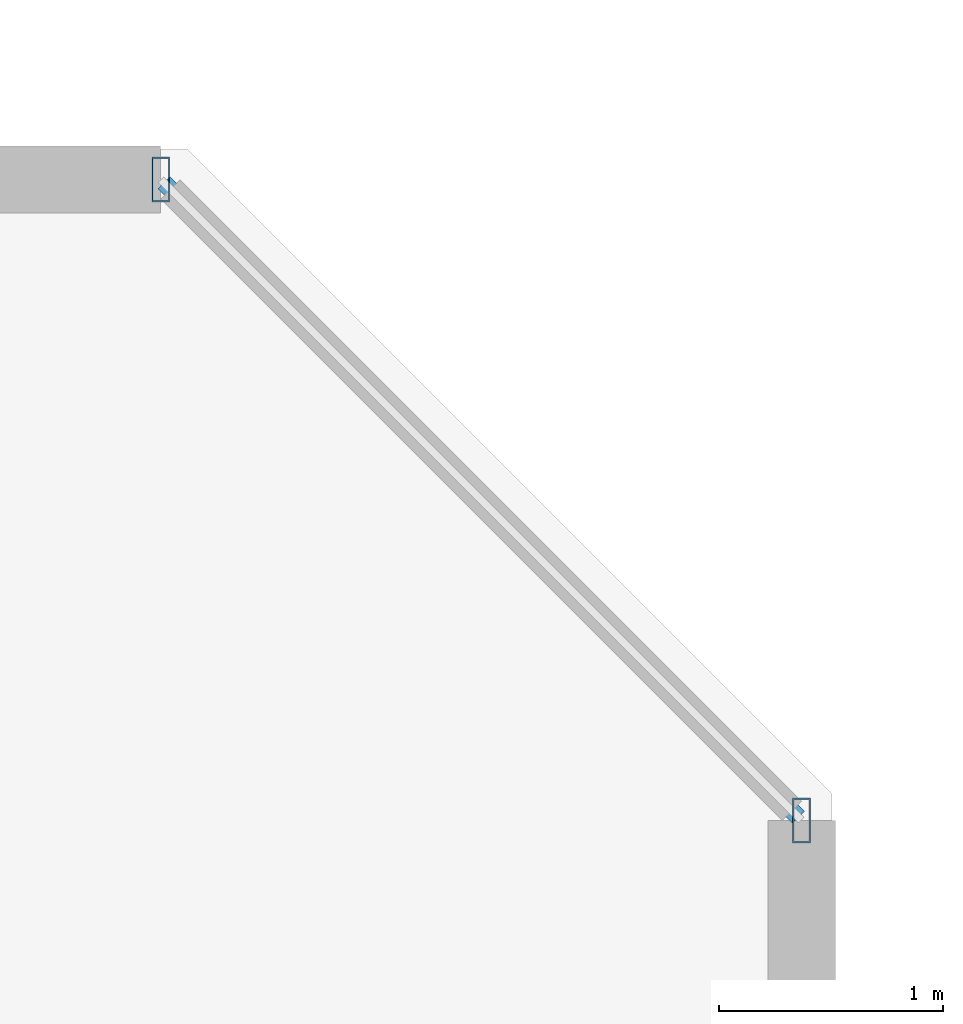
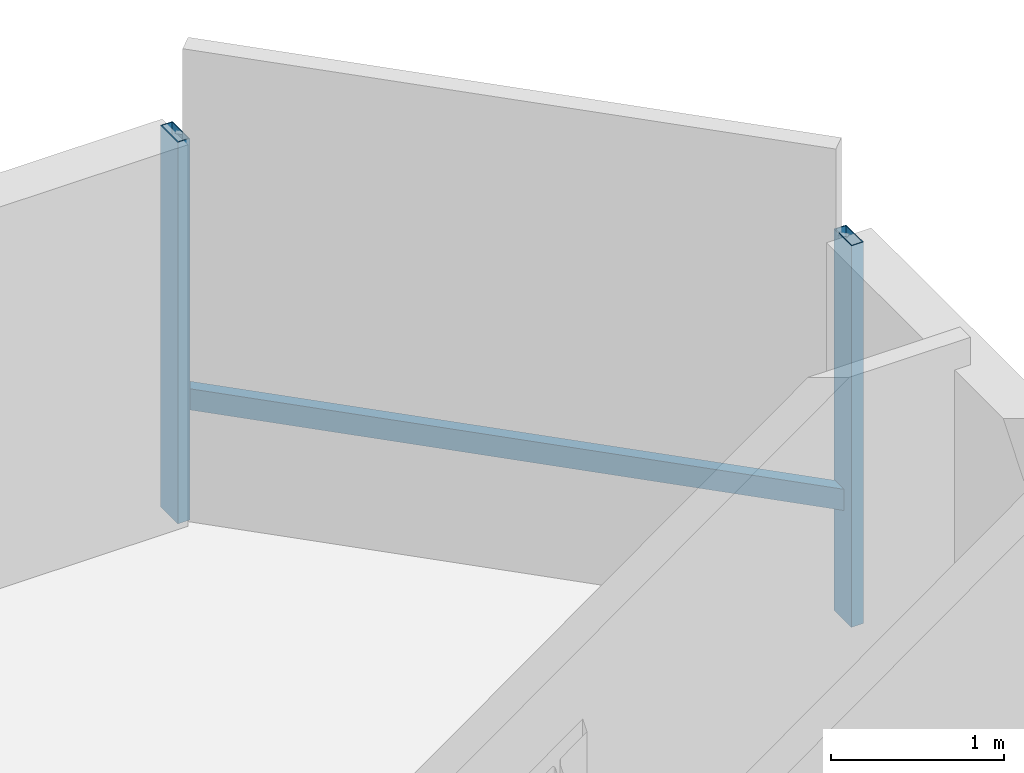
# One storey, part 10 of 33: 3 members, 1 element without a shape of its own.
"""IFC4 building model written with IfcOpenShell, lengths in metres."""

import ifcopenshell
import ifcopenshell.guid

model = None  # the IFC model being written
_history = None  # IfcOwnerHistory: only IFC2X3 demands one
_inside = {}  # id of a spatial element -> (the spatial element, [elements in it])
_under = {}  # id of a project, library or spatial element -> (it, [spatial elements below it])
_declared = {}  # id of a project -> (the project, [libraries it declares])
_typed = {}  # id of a type object -> (the type object, [elements of that type])
_made_of = {}  # id of a material, layer set ... -> (it, [elements and type objects made of it])


def new_model(schema):
    """Start an empty IFC model of exactly this schema.

    Asked for "IFC4X3", IfcOpenShell would pick the latest addendum, in which some entities
    have other attributes; the version numbers below select the first issue.
    IFC2X3 requires an IfcOwnerHistory on every rooted entity: one is made here for all.
    """
    global model, _history
    if schema == "IFC4X3":
        model = ifcopenshell.file(schema_version=(4, 3, 0, 0))
    else:
        model = ifcopenshell.file(schema=schema)
    _inside.clear()
    _under.clear()
    _declared.clear()
    _typed.clear()
    _made_of.clear()
    _history = None
    if model.schema == "IFC2X3":
        org = make("IfcOrganization", Name="unknown")
        user = make(
            "IfcPersonAndOrganization",
            ThePerson=make("IfcPerson", FamilyName="unknown"),
            TheOrganization=org,
        )
        app = make(
            "IfcApplication",
            ApplicationDeveloper=org,
            Version="unknown",
            ApplicationFullName="unknown",
            ApplicationIdentifier="unknown",
        )
        _history = make(
            "IfcOwnerHistory",
            OwningUser=user,
            OwningApplication=app,
            ChangeAction="ADDED",
            CreationDate=0,
        )
    return model


def make(cls, **values):
    """One entity of the class cls with the attributes given. An attribute that is None is left unset."""
    return model.create_entity(
        cls, **{name: value for name, value in values.items() if value is not None}
    )


def rooted(cls, **values):
    """An entity with a GlobalId (a new one), such as an element, a storey or a relation."""
    return make(cls, GlobalId=ifcopenshell.guid.new(), OwnerHistory=_history, **values)


def si_unit(unit_type, name, prefix=None):
    """IfcSIUnit, for example si_unit("LENGTHUNIT", "METRE", prefix="MILLI")."""
    return make("IfcSIUnit", UnitType=unit_type, Prefix=prefix, Name=name)


def assignment(units):
    """IfcUnitAssignment: the units of a project."""
    return None if units is None else make("IfcUnitAssignment", Units=units)


def point(xyz):
    """IfcCartesianPoint."""
    return None if xyz is None else make("IfcCartesianPoint", Coordinates=xyz)


def direction(xyz):
    """IfcDirection."""
    return None if xyz is None else make("IfcDirection", DirectionRatios=xyz)


def frame(location, z_axis=None, x_axis=None):
    """IfcAxis2Placement3D, a coordinate frame: its origin and axes. An axis left out is left unset."""
    return make(
        "IfcAxis2Placement3D",
        Location=point(location),
        Axis=direction(z_axis),
        RefDirection=direction(x_axis),
    )


def frame_2d(location, x_axis=None):
    """IfcAxis2Placement2D, a coordinate frame in the plane: its origin and x axis."""
    return make(
        "IfcAxis2Placement2D", Location=point(location), RefDirection=direction(x_axis)
    )


def origin():
    """The frame at (0, 0, 0) with its axes left unset."""
    return frame((0.0, 0.0, 0.0))


def origin_2d():
    """The frame at (0, 0) in the plane with its x axis left unset."""
    return frame_2d((0.0, 0.0))


def place(relative_to, where):
    """IfcLocalPlacement: puts the frame where relative to a parent placement (None: the world)."""
    return make(
        "IfcLocalPlacement", PlacementRelTo=relative_to, RelativePlacement=where
    )


def context(
    kind, dimensions, precision=None, world=None, true_north=None, identifier=None
):
    """IfcGeometricRepresentationContext, for example the 3D "Model" context."""
    return make(
        "IfcGeometricRepresentationContext",
        ContextIdentifier=identifier,
        ContextType=kind,
        CoordinateSpaceDimension=dimensions,
        Precision=precision,
        WorldCoordinateSystem=world,
        TrueNorth=true_north,
    )


def subcontext(parent, identifier, kind, view, scale=None):
    """IfcGeometricRepresentationSubContext, for example "Body" below "Model"."""
    return make(
        "IfcGeometricRepresentationSubContext",
        ContextIdentifier=identifier,
        ContextType=kind,
        ParentContext=parent,
        TargetScale=scale,
        TargetView=view,
    )


def project(units=None, contexts=None):
    """IfcProject with its units and contexts."""
    return rooted(
        "IfcProject",
        Name="project",
        RepresentationContexts=contexts,
        UnitsInContext=assignment(units),
    )


def spatial(cls, under=None, at=None, **own):
    """A site, building, storey or space (cls), placed at a placement, below another one or the project."""
    s = rooted(cls, ObjectPlacement=at, **own)
    if under is not None:
        _under.setdefault(under.id(), (under, []))[1].append(s)
    return s


def profile(cls, at=None, kind="AREA", **sizes):
    """A parametric profile (cls). Its sizes go by their IFC names, for example OverallWidth=200.0."""
    return make(cls, ProfileType=kind, Position=at, **sizes)


def hollow_rectangle(**sizes):
    """IfcRectangleHollowProfileDef."""
    return profile("IfcRectangleHollowProfileDef", **sizes)


def extrude(swept, where, along, depth):
    """IfcExtrudedAreaSolid: the profile swept, set in the frame where, extruded along a direction by depth."""
    return make(
        "IfcExtrudedAreaSolid",
        SweptArea=swept,
        Position=where,
        ExtrudedDirection=direction(along),
        Depth=depth,
    )


def shape(context_of_items, identifier, shape_type, items):
    """IfcShapeRepresentation: the items that make up one representation, for example the "Body"."""
    return make(
        "IfcShapeRepresentation",
        ContextOfItems=context_of_items,
        RepresentationIdentifier=identifier,
        RepresentationType=shape_type,
        Items=items,
    )


def material(Name=None, Category=None):
    """IfcMaterial."""
    return make("IfcMaterial", Name=Name, Category=Category)


def material_profile(
    of_material, cross_section, Name=None, Category=None, Priority=None
):
    """IfcMaterialProfile: a cross section and its material."""
    return make(
        "IfcMaterialProfile",
        Name=Name,
        Material=of_material,
        Profile=cross_section,
        Priority=Priority,
        Category=Category,
    )


def profile_set(profiles, Name=None, composite=None):
    """IfcMaterialProfileSet."""
    return make(
        "IfcMaterialProfileSet",
        Name=Name,
        MaterialProfiles=profiles,
        CompositeProfile=composite,
    )


def made_of(thing, what):
    """Note that an element or type object is made of a material, layer set ...; save() writes the relation."""
    if what is not None:
        _made_of.setdefault(what.id(), (what, []))[1].append(thing)
    return thing


def type_object(cls, material=None, **own):
    """A type object (cls), such as IfcWallType, which elements share."""
    return made_of(rooted(cls, **own), material)


def element(
    cls,
    number,
    at=None,
    inside=None,
    cuts=None,
    type_object=None,
    material=None,
    context=None,
    identifier="Body",
    shape_type=None,
    held_by="IfcProductDefinitionShape",
    body=None,
    shapes=None,
    **own,
):
    """One element of the class cls, such as IfcWall. Its Tag is "e" and its number.

    at: its placement. inside: the storey or other place that contains it. cuts: it is an
    opening in that element (IfcRelVoidsElement). A single representation is given by context,
    identifier, shape_type and body (its items); several are given by shapes. held_by: the class
    of the entity that holds the representations. save() writes the other relations.
    """
    e = rooted(cls, Tag="e%d" % number, ObjectPlacement=at, **own)
    if body is not None:
        shapes = [shape(context, identifier, shape_type, body)]
    if shapes is not None:
        e.Representation = make(held_by, Representations=shapes)
    if inside is not None:
        _inside.setdefault(inside.id(), (inside, []))[1].append(e)
    if cuts is not None:
        rooted(
            "IfcRelVoidsElement", RelatingBuildingElement=cuts, RelatedOpeningElement=e
        )
    if type_object is not None:
        _typed.setdefault(type_object.id(), (type_object, []))[1].append(e)
    return made_of(e, material)


def aggregate(whole, parts):
    """IfcRelAggregates: a whole, such as a stair, and the parts it consists of."""
    return rooted("IfcRelAggregates", RelatingObject=whole, RelatedObjects=parts)


def save(model, path):
    """Write the relations noted so far, then the file.

    IfcRelAggregates (storeys below a building ...), IfcRelContainedInSpatialStructure (elements
    in a storey), IfcRelDefinesByType, IfcRelAssociatesMaterial and IfcRelDeclares: one each for
    every whole, place, type object, material and project.
    """
    for whole, parts in _under.values():
        aggregate(whole, parts)
    for where, things in _inside.values():
        rooted(
            "IfcRelContainedInSpatialStructure",
            RelatedElements=things,
            RelatingStructure=where,
        )
    for kind, things in _typed.values():
        rooted("IfcRelDefinesByType", RelatedObjects=things, RelatingType=kind)
    for what, things in _made_of.values():
        rooted("IfcRelAssociatesMaterial", RelatedObjects=things, RelatingMaterial=what)
    for by, libraries in _declared.values():
        rooted("IfcRelDeclares", RelatingContext=by, RelatedDefinitions=libraries)
    model.write(path)


model = new_model("IFC4")

# Units and contexts
model_context = context("Model", 3, precision=1e-05, world=origin(), true_north=direction((0.0, 1.0)))
body_context = subcontext(model_context, "Body", "Model", "MODEL_VIEW")
ifc_project = project(units=[si_unit("LENGTHUNIT", "METRE"), si_unit("AREAUNIT", "SQUARE_METRE"), si_unit("VOLUMEUNIT", "CUBIC_METRE"), si_unit("PLANEANGLEUNIT", "RADIAN"), si_unit("MASSUNIT", "GRAM", prefix="KILO")], contexts=[model_context])

# Site, building, storey
site_placement = place(None, origin())
site = spatial("IfcSite", under=ifc_project, at=site_placement, CompositionType="ELEMENT")
building_placement = place(site_placement, origin())
building = spatial("IfcBuilding", under=site, at=building_placement, Name="Thornwick Lancets Civic Towers", CompositionType="ELEMENT")
storey_placement = place(building_placement, frame((0.0, 0.0, 167.10009765625)))
storey = spatial("IfcBuildingStorey", under=building, at=storey_placement, Name="L44", CompositionType="ELEMENT", Elevation=167.10009765625)

# Curtain wall, members
ifc_material_1 = material(Name="Mid-zone chamfered-corner unitised glass curtain wall", Category="glass")
curtain_wall_type = type_object("IfcCurtainWallType", Name="CW_SYS_04", PredefinedType="NOTDEFINED", material=ifc_material_1)
curtain_wall_placement = place(storey_placement, origin())
curtain_wall = element("IfcCurtainWall", 1, at=curtain_wall_placement, inside=storey, type_object=curtain_wall_type, Name="L44 Curtain Wall CW-L44-A-E3", PredefinedType="NOTDEFINED")
ifc_material_2 = material(Name="Thermally broken bronze aluminium S355", Category="steel")
ifc_material_profile_1 = material_profile(ifc_material_2, hollow_rectangle(XDim=0.080078125, YDim=0.199951171875, WallThickness=0.006103515625, at=origin_2d()), Name="RHS 200x80x6")
ifc_profile_set_1 = profile_set([ifc_material_profile_1], Name="Thermally broken bronze aluminium S355")
member_type_1 = type_object("IfcMemberType", Name="CW_MUL_200", PredefinedType="MULLION", material=ifc_profile_set_1)
member_1_placement = place(storey_placement, frame((49.263671875, 41.905517578125, 0.0), z_axis=(0.0, 0.0, 1.0), x_axis=(1.0, 0.0, 0.0)))
member_1 = element("IfcMember", 2, at=member_1_placement, type_object=member_type_1, Name="CW-L44-A-E3 Mullion 0", PredefinedType="MULLION", context=body_context, shape_type="SweptSolid", body=[
    extrude(hollow_rectangle(XDim=0.080078125, YDim=0.199951171875, WallThickness=0.006103515625, at=origin_2d()), origin(), (0.0, 0.0, 1.0), 2.699951171875),
])
member_2_placement = place(storey_placement, frame((46.405517578125, 44.763671875, 0.0), z_axis=(0.0, 0.0, 1.0), x_axis=(1.0, 0.0, 0.0)))
member_2 = element("IfcMember", 3, at=member_2_placement, type_object=member_type_1, Name="CW-L44-A-E3 Mullion 1", PredefinedType="MULLION", context=body_context, shape_type="SweptSolid", body=[
    extrude(hollow_rectangle(XDim=0.080078125, YDim=0.199951171875, WallThickness=0.006103515625, at=origin_2d()), origin(), (0.0, 0.0, 1.0), 2.699951171875),
])
ifc_material_profile_2 = material_profile(ifc_material_2, hollow_rectangle(XDim=0.074951171875, YDim=0.14990234375, WallThickness=0.0048828125, at=origin_2d()), Name="RHS 150x75x5")
ifc_profile_set_2 = profile_set([ifc_material_profile_2], Name="Thermally broken bronze aluminium S355")
member_type_2 = type_object("IfcMemberType", Name="CW_TRN_150", PredefinedType="USERDEFINED", material=ifc_profile_set_2)
member_3_placement = place(storey_placement, frame((49.24951171875, 41.91943359375, 0.849853515625), z_axis=(-0.707106781187, 0.707106781187, 0.0), x_axis=(-0.707106781187, -0.707106781187, 0.0)))
member_3 = element("IfcMember", 4, at=member_3_placement, type_object=member_type_2, Name="CW-L44-A-E3 Transom 0", ObjectType="TRANSOM", PredefinedType="USERDEFINED", context=body_context, shape_type="SweptSolid", body=[
    extrude(hollow_rectangle(XDim=0.074951171875, YDim=0.14990234375, WallThickness=0.0048828125, at=origin_2d()), origin(), (0.0, 0.0, 1.0), 4.00244140625),
])
aggregate(curtain_wall, [member_1, member_2, member_3])

save(model, "model.ifc")
